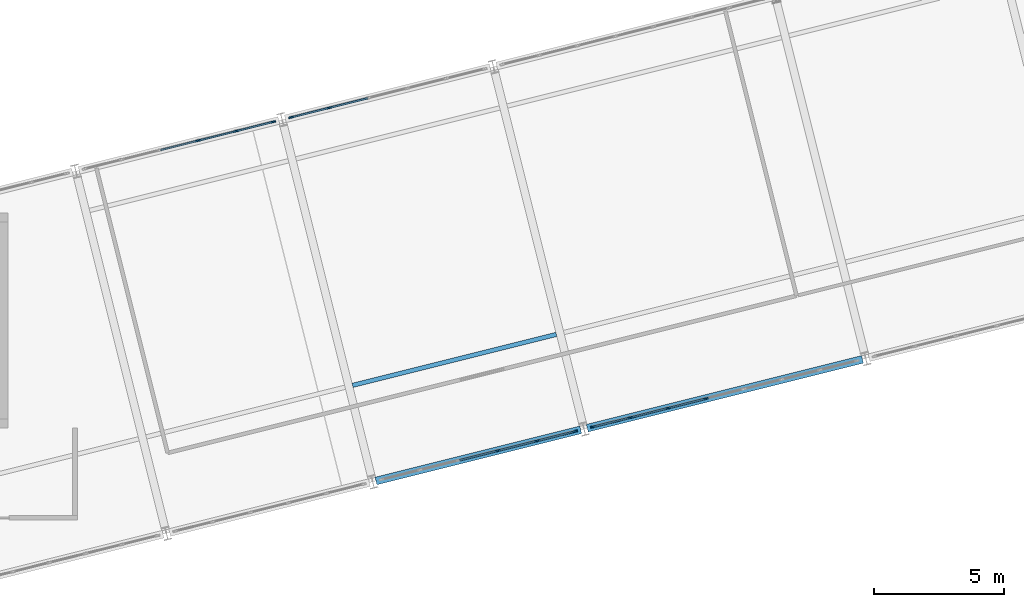
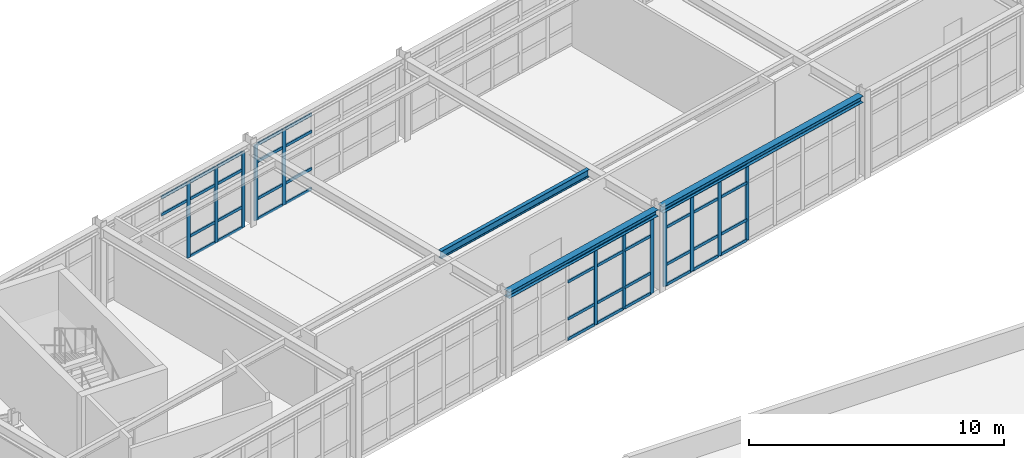
# One storey, part 28 of 99: 54 members, 3 beams, 4 elements without a shape of their own.
"""IFC4 building model written with IfcOpenShell, lengths in metres."""

from ifc_helpers import new_model, si_unit, direction, frame, origin, origin_2d, place, context, subcontext, project, spatial, rectangle, i_section, extrude, material, layer, layer_set, material_profile, profile_set, type_object, element, aggregate, save


model = new_model("IFC4")

# Units and contexts
model_context = context("Model", 3, precision=1e-05, world=origin(), true_north=direction((0.0, 1.0)))
body_context = subcontext(model_context, "Body", "Model", "MODEL_VIEW")
ifc_project = project(units=[si_unit("LENGTHUNIT", "METRE"), si_unit("AREAUNIT", "SQUARE_METRE"), si_unit("VOLUMEUNIT", "CUBIC_METRE"), si_unit("PLANEANGLEUNIT", "RADIAN"), si_unit("MASSUNIT", "GRAM", prefix="KILO")], contexts=[model_context])

# Site, building, storey
site_placement = place(None, origin())
site = spatial("IfcSite", under=ifc_project, at=site_placement, CompositionType="ELEMENT")
building_placement = place(site_placement, origin())
building = spatial("IfcBuilding", under=site, at=building_placement, Name="Nordkorset Police Headquarters", CompositionType="ELEMENT")
storey_placement = place(building_placement, frame((0.0, 0.0, 5.25)))
storey = spatial("IfcBuildingStorey", under=building, at=storey_placement, Name="L01", CompositionType="ELEMENT", Elevation=5.25)

# Beam
ifc_material_1 = material(Name="Steel S355J2", Category="steel")
ifc_material_profile_1 = material_profile(ifc_material_1, i_section(OverallWidth=0.169921875, OverallDepth=0.360107421875, WebThickness=0.008056640625, FlangeThickness=0.0126953125, FilletRadius=0.01806640625, at=origin_2d()), Name="IPE 360")
ifc_profile_set_1 = profile_set([ifc_material_profile_1], Name="Steel S355J2")
beam_type_1 = type_object("IfcBeamType", Name="Beam_IPE_360", PredefinedType="BEAM", material=ifc_profile_set_1)
beam_1_placement = place(storey_placement, frame((42.61474609375, 50.670654296875, 3.780029296875), z_axis=(0.970140727133, 0.242542716974, 0.0), x_axis=(-0.242542716974, 0.970140727133, 0.0)))
element("IfcBeam", 1, at=beam_1_placement, inside=storey, type_object=beam_type_1, Name="Splayed Wing Secondary Beam L01 2-1", PredefinedType="BEAM", context=body_context, shape_type="SweptSolid", body=[
    extrude(i_section(OverallWidth=0.169921875, OverallDepth=0.360107421875, WebThickness=0.008056640625, FlangeThickness=0.0126953125, FilletRadius=0.01806640625, at=origin_2d()), origin(), (0.0, 0.0, 1.0), 8.10009765625),
])

# Curtain wall, members
ifc_material_2 = material(Name="Aluminium alloy AW-6060", Category="aluminium")
ifc_layer_1 = layer(ifc_material_2, 0.179931640625, Name="Aluminium alloy AW-6060")
ifc_layer_set_1 = layer_set([ifc_layer_1], Name="Aluminium alloy AW-6060")
curtain_wall_type_1 = type_object("IfcCurtainWallType", Name="CW_Unit_756x363", PredefinedType="USERDEFINED", material=ifc_layer_set_1)
curtain_wall_1_placement = place(storey_placement, origin())
curtain_wall_1 = element("IfcCurtainWall", 2, at=curtain_wall_1_placement, inside=storey, type_object=curtain_wall_type_1, Name="Unitised Curtain Wall L01 V4N-1", ObjectType="UNITISED CURTAIN WALL", PredefinedType="USERDEFINED")
ifc_material_3 = material(Name="Aluminium alloy AW-6060", Category="aluminium")
ifc_material_profile_2 = material_profile(ifc_material_3, rectangle(XDim=0.06494140625, YDim=0.179931640625, at=origin_2d()), Name="ALU MULL 65x180")
ifc_profile_set_2 = profile_set([ifc_material_profile_2], Name="Aluminium alloy AW-6060")
member_type_1 = type_object("IfcMemberType", Name="CW_Mullion_65x180", PredefinedType="MULLION", material=ifc_profile_set_2)
member_1_placement = place(storey_placement, frame((36.654296875, 60.106689453125, 0.0), z_axis=(0.0, 0.0, 1.0), x_axis=(-0.242535625038, 0.970142500145, 0.0)))
member_1 = element("IfcMember", 3, at=member_1_placement, type_object=member_type_1, Name="CW-24 mullion 4", PredefinedType="MULLION", context=body_context, shape_type="SweptSolid", body=[
    extrude(rectangle(XDim=0.06494140625, YDim=0.179931640625, at=origin_2d()), origin(), (0.0, 0.0, 1.0), 3.6298828125),
])
member_2_placement = place(storey_placement, frame((38.12109375, 60.473388671875, 0.0), z_axis=(0.0, 0.0, 1.0), x_axis=(-0.242535625038, 0.970142500145, 0.0)))
member_2 = element("IfcMember", 4, at=member_2_placement, type_object=member_type_1, Name="CW-24 mullion 5", PredefinedType="MULLION", context=body_context, shape_type="SweptSolid", body=[
    extrude(rectangle(XDim=0.06494140625, YDim=0.179931640625, at=origin_2d()), origin(), (0.0, 0.0, 1.0), 3.6298828125),
])
member_3_placement = place(storey_placement, frame((39.556396484375, 60.832275390625, 0.0), z_axis=(0.0, 0.0, 1.0), x_axis=(-0.242535625038, 0.970142500145, 0.0)))
member_3 = element("IfcMember", 5, at=member_3_placement, type_object=member_type_1, Name="CW-24 mullion 6", PredefinedType="MULLION", context=body_context, shape_type="SweptSolid", body=[
    extrude(rectangle(XDim=0.06494140625, YDim=0.179931640625, at=origin_2d()), origin(), (0.0, 0.0, 1.0), 3.6298828125),
])

ifc_material_4 = material(Name="Aluminium alloy AW-6060", Category="aluminium")
ifc_layer_2 = layer(ifc_material_4, 0.179931640625, Name="Aluminium alloy AW-6060")
ifc_layer_set_2 = layer_set([ifc_layer_2], Name="Aluminium alloy AW-6060")
curtain_wall_type_2 = type_object("IfcCurtainWallType", Name="CW_Unit_776x363", PredefinedType="USERDEFINED", material=ifc_layer_set_2)
curtain_wall_2_placement = place(storey_placement, origin())
curtain_wall_2 = element("IfcCurtainWall", 6, at=curtain_wall_2_placement, inside=storey, type_object=curtain_wall_type_2, Name="Unitised Curtain Wall L01 V4S-2", ObjectType="UNITISED CURTAIN WALL", PredefinedType="USERDEFINED")
member_4_placement = place(storey_placement, frame((48.21826171875, 48.154541015625, 0.0), z_axis=(0.0, 0.0, 1.0), x_axis=(-0.24253471539, 0.970142727556, 0.0)))
member_4 = element("IfcMember", 7, at=member_4_placement, type_object=member_type_1, Name="CW-47 mullion 4", PredefinedType="MULLION", context=body_context, shape_type="SweptSolid", body=[
    extrude(rectangle(XDim=0.06494140625, YDim=0.179931640625, at=origin_2d()), origin(), (0.0, 0.0, 1.0), 3.6298828125),
])
member_5_placement = place(storey_placement, frame((49.723876953125, 48.531005859375, 0.0), z_axis=(0.0, 0.0, 1.0), x_axis=(-0.24253471539, 0.970142727556, 0.0)))
member_5 = element("IfcMember", 8, at=member_5_placement, type_object=member_type_1, Name="CW-47 mullion 5", PredefinedType="MULLION", context=body_context, shape_type="SweptSolid", body=[
    extrude(rectangle(XDim=0.06494140625, YDim=0.179931640625, at=origin_2d()), origin(), (0.0, 0.0, 1.0), 3.6298828125),
])
member_6_placement = place(storey_placement, frame((51.1982421875, 48.8994140625, 0.0), z_axis=(0.0, 0.0, 1.0), x_axis=(-0.24253471539, 0.970142727556, 0.0)))
member_6 = element("IfcMember", 9, at=member_6_placement, type_object=member_type_1, Name="CW-47 mullion 6", PredefinedType="MULLION", context=body_context, shape_type="SweptSolid", body=[
    extrude(rectangle(XDim=0.06494140625, YDim=0.179931640625, at=origin_2d()), origin(), (0.0, 0.0, 1.0), 3.6298828125),
])

curtain_wall_3_placement = place(storey_placement, origin())
curtain_wall_3 = element("IfcCurtainWall", 10, at=curtain_wall_3_placement, inside=storey, type_object=curtain_wall_type_2, Name="Unitised Curtain Wall L01 V4N-2", ObjectType="UNITISED CURTAIN WALL", PredefinedType="USERDEFINED")
member_7_placement = place(storey_placement, frame((40.240478515625, 61.003173828125, 0.0), z_axis=(0.0, 0.0, 1.0), x_axis=(-0.242535928242, 0.970142424344, 0.0)))
member_7 = element("IfcMember", 11, at=member_7_placement, type_object=member_type_1, Name="CW-47 mullion 1", PredefinedType="MULLION", context=body_context, shape_type="SweptSolid", body=[
    extrude(rectangle(XDim=0.06494140625, YDim=0.179931640625, at=origin_2d()), origin(), (0.0, 0.0, 1.0), 3.6298828125),
])
member_8_placement = place(storey_placement, frame((41.714599609375, 61.371826171875, 0.0), z_axis=(0.0, 0.0, 1.0), x_axis=(-0.242535928242, 0.970142424344, 0.0)))
member_8 = element("IfcMember", 12, at=member_8_placement, type_object=member_type_1, Name="CW-47 mullion 2", PredefinedType="MULLION", context=body_context, shape_type="SweptSolid", body=[
    extrude(rectangle(XDim=0.06494140625, YDim=0.179931640625, at=origin_2d()), origin(), (0.0, 0.0, 1.0), 3.6298828125),
])

ifc_material_5 = material(Name="Aluminium alloy AW-6060", Category="aluminium")
ifc_layer_3 = layer(ifc_material_5, 0.179931640625, Name="Aluminium alloy AW-6060")
ifc_layer_set_3 = layer_set([ifc_layer_3], Name="Aluminium alloy AW-6060")
curtain_wall_type_3 = type_object("IfcCurtainWallType", Name="CW_Unit_1056x363", PredefinedType="USERDEFINED", material=ifc_layer_set_3)
curtain_wall_4_placement = place(storey_placement, origin())
curtain_wall_4 = element("IfcCurtainWall", 13, at=curtain_wall_4_placement, inside=storey, type_object=curtain_wall_type_3, Name="Unitised Curtain Wall L01 V4S-3", ObjectType="UNITISED CURTAIN WALL", PredefinedType="USERDEFINED")
member_9_placement = place(storey_placement, frame((51.882080078125, 49.070556640625, 0.0), z_axis=(0.0, 0.0, 1.0), x_axis=(-0.242535179399, 0.970142611554, 0.0)))
member_9 = element("IfcMember", 14, at=member_9_placement, type_object=member_type_1, Name="CW-96 mullion 1", PredefinedType="MULLION", context=body_context, shape_type="SweptSolid", body=[
    extrude(rectangle(XDim=0.06494140625, YDim=0.179931640625, at=origin_2d()), origin(), (0.0, 0.0, 1.0), 3.6298828125),
])
member_10_placement = place(storey_placement, frame((53.31396484375, 49.428466796875, 0.0), z_axis=(0.0, 0.0, 1.0), x_axis=(-0.242535179399, 0.970142611554, 0.0)))
member_10 = element("IfcMember", 15, at=member_10_placement, type_object=member_type_1, Name="CW-96 mullion 2", PredefinedType="MULLION", context=body_context, shape_type="SweptSolid", body=[
    extrude(rectangle(XDim=0.06494140625, YDim=0.179931640625, at=origin_2d()), origin(), (0.0, 0.0, 1.0), 3.6298828125),
])
member_11_placement = place(storey_placement, frame((54.777587890625, 49.79443359375, 0.0), z_axis=(0.0, 0.0, 1.0), x_axis=(-0.242535179399, 0.970142611554, 0.0)))
member_11 = element("IfcMember", 16, at=member_11_placement, type_object=member_type_1, Name="CW-96 mullion 3", PredefinedType="MULLION", context=body_context, shape_type="SweptSolid", body=[
    extrude(rectangle(XDim=0.06494140625, YDim=0.179931640625, at=origin_2d()), origin(), (0.0, 0.0, 1.0), 3.6298828125),
])
member_12_placement = place(storey_placement, frame((56.2412109375, 50.160400390625, 0.0), z_axis=(0.0, 0.0, 1.0), x_axis=(-0.242535179399, 0.970142611554, 0.0)))
member_12 = element("IfcMember", 17, at=member_12_placement, type_object=member_type_1, Name="CW-96 mullion 4", PredefinedType="MULLION", context=body_context, shape_type="SweptSolid", body=[
    extrude(rectangle(XDim=0.06494140625, YDim=0.179931640625, at=origin_2d()), origin(), (0.0, 0.0, 1.0), 3.6298828125),
])

# Member
ifc_material_6 = material(Name="Aluminium alloy AW-6060", Category="aluminium")
ifc_material_profile_3 = material_profile(ifc_material_6, rectangle(XDim=0.06494140625, YDim=0.139892578125, at=origin_2d()), Name="ALU TRAN 65x140")
ifc_profile_set_3 = profile_set([ifc_material_profile_3], Name="Aluminium alloy AW-6060")
member_type_2 = type_object("IfcMemberType", Name="CW_Transom_65x140", PredefinedType="USERDEFINED", material=ifc_profile_set_3)
member_13_placement = place(storey_placement, frame((35.218994140625, 59.747802734375, 2.780029296875), z_axis=(0.97012264784, 0.242615020451, 0.0), x_axis=(-0.242615020451, 0.97012264784, 0.0)))
member_13 = element("IfcMember", 18, at=member_13_placement, type_object=member_type_2, Name="CW-24 transom 3.3", ObjectType="TRANSOM", PredefinedType="USERDEFINED", context=body_context, shape_type="SweptSolid", body=[
    extrude(rectangle(XDim=0.06494140625, YDim=0.139892578125, at=origin_2d()), origin(), (0.0, 0.0, 1.0), 1.447021484375),
])

member_14_placement = place(storey_placement, frame((35.218994140625, 59.747802734375, 3.597412109375), z_axis=(0.97012264784, 0.242615020451, 0.0), x_axis=(-0.242615020451, 0.97012264784, 0.0)))
member_14 = element("IfcMember", 19, at=member_14_placement, type_object=member_type_2, Name="CW-24 transom 3.4", ObjectType="TRANSOM", PredefinedType="USERDEFINED", context=body_context, shape_type="SweptSolid", body=[
    extrude(rectangle(XDim=0.06494140625, YDim=0.139892578125, at=origin_2d()), origin(), (0.0, 0.0, 1.0), 1.447021484375),
])

member_15_placement = place(storey_placement, frame((36.685791015625, 60.11474609375, 0.032470703125), z_axis=(0.970162346765, 0.242456224748, 0.0), x_axis=(-0.242456224748, 0.970162346765, 0.0)))
member_15 = element("IfcMember", 20, at=member_15_placement, type_object=member_type_2, Name="CW-24 transom 4.1", ObjectType="TRANSOM", PredefinedType="USERDEFINED", context=body_context, shape_type="SweptSolid", body=[
    extrude(rectangle(XDim=0.06494140625, YDim=0.139892578125, at=origin_2d()), origin(), (0.0, 0.0, 1.0), 1.447021484375),
])

member_16_placement = place(storey_placement, frame((36.685791015625, 60.11474609375, 1.0), z_axis=(0.970162346765, 0.242456224748, 0.0), x_axis=(-0.242456224748, 0.970162346765, 0.0)))
member_16 = element("IfcMember", 21, at=member_16_placement, type_object=member_type_2, Name="CW-24 transom 4.2", ObjectType="TRANSOM", PredefinedType="USERDEFINED", context=body_context, shape_type="SweptSolid", body=[
    extrude(rectangle(XDim=0.06494140625, YDim=0.139892578125, at=origin_2d()), origin(), (0.0, 0.0, 1.0), 1.447021484375),
])

member_17_placement = place(storey_placement, frame((36.685791015625, 60.11474609375, 2.780029296875), z_axis=(0.970162346765, 0.242456224748, 0.0), x_axis=(-0.242456224748, 0.970162346765, 0.0)))
member_17 = element("IfcMember", 22, at=member_17_placement, type_object=member_type_2, Name="CW-24 transom 4.3", ObjectType="TRANSOM", PredefinedType="USERDEFINED", context=body_context, shape_type="SweptSolid", body=[
    extrude(rectangle(XDim=0.06494140625, YDim=0.139892578125, at=origin_2d()), origin(), (0.0, 0.0, 1.0), 1.447021484375),
])

member_18_placement = place(storey_placement, frame((36.685791015625, 60.11474609375, 3.597412109375), z_axis=(0.970162346765, 0.242456224748, 0.0), x_axis=(-0.242456224748, 0.970162346765, 0.0)))
member_18 = element("IfcMember", 23, at=member_18_placement, type_object=member_type_2, Name="CW-24 transom 4.4", ObjectType="TRANSOM", PredefinedType="USERDEFINED", context=body_context, shape_type="SweptSolid", body=[
    extrude(rectangle(XDim=0.06494140625, YDim=0.139892578125, at=origin_2d()), origin(), (0.0, 0.0, 1.0), 1.447021484375),
])

member_19_placement = place(storey_placement, frame((38.152587890625, 60.4814453125, 0.032470703125), z_axis=(0.970152651902, 0.242495014396, 0.0), x_axis=(-0.242495014396, 0.970152651902, 0.0)))
member_19 = element("IfcMember", 24, at=member_19_placement, type_object=member_type_2, Name="CW-24 transom 5.1", ObjectType="TRANSOM", PredefinedType="USERDEFINED", context=body_context, shape_type="SweptSolid", body=[
    extrude(rectangle(XDim=0.06494140625, YDim=0.139892578125, at=origin_2d()), origin(), (0.0, 0.0, 1.0), 1.41455078125),
])

member_20_placement = place(storey_placement, frame((38.152587890625, 60.4814453125, 1.0), z_axis=(0.970152651902, 0.242495014396, 0.0), x_axis=(-0.242495014396, 0.970152651902, 0.0)))
member_20 = element("IfcMember", 25, at=member_20_placement, type_object=member_type_2, Name="CW-24 transom 5.2", ObjectType="TRANSOM", PredefinedType="USERDEFINED", context=body_context, shape_type="SweptSolid", body=[
    extrude(rectangle(XDim=0.06494140625, YDim=0.139892578125, at=origin_2d()), origin(), (0.0, 0.0, 1.0), 1.41455078125),
])

member_21_placement = place(storey_placement, frame((38.152587890625, 60.4814453125, 2.780029296875), z_axis=(0.970152651902, 0.242495014396, 0.0), x_axis=(-0.242495014396, 0.970152651902, 0.0)))
member_21 = element("IfcMember", 26, at=member_21_placement, type_object=member_type_2, Name="CW-24 transom 5.3", ObjectType="TRANSOM", PredefinedType="USERDEFINED", context=body_context, shape_type="SweptSolid", body=[
    extrude(rectangle(XDim=0.06494140625, YDim=0.139892578125, at=origin_2d()), origin(), (0.0, 0.0, 1.0), 1.41455078125),
])

member_22_placement = place(storey_placement, frame((38.152587890625, 60.4814453125, 3.597412109375), z_axis=(0.970152651902, 0.242495014396, 0.0), x_axis=(-0.242495014396, 0.970152651902, 0.0)))
member_22 = element("IfcMember", 27, at=member_22_placement, type_object=member_type_2, Name="CW-24 transom 5.4", ObjectType="TRANSOM", PredefinedType="USERDEFINED", context=body_context, shape_type="SweptSolid", body=[
    extrude(rectangle(XDim=0.06494140625, YDim=0.139892578125, at=origin_2d()), origin(), (0.0, 0.0, 1.0), 1.41455078125),
])

aggregate(curtain_wall_1, [member_1, member_2, member_3, member_13, member_14, member_15, member_16, member_17, member_18, member_19, member_20, member_21, member_22])

member_23_placement = place(storey_placement, frame((46.744140625, 47.7861328125, 0.032470703125), z_axis=(0.970152157148, 0.242496993757, 0.0), x_axis=(-0.242496993757, 0.970152157148, 0.0)))
member_23 = element("IfcMember", 28, at=member_23_placement, type_object=member_type_2, Name="CW-47 transom 3.1", ObjectType="TRANSOM", PredefinedType="USERDEFINED", context=body_context, shape_type="SweptSolid", body=[
    extrude(rectangle(XDim=0.06494140625, YDim=0.139892578125, at=origin_2d()), origin(), (0.0, 0.0, 1.0), 1.487060546875),
])

member_24_placement = place(storey_placement, frame((46.744140625, 47.7861328125, 1.0), z_axis=(0.970152157148, 0.242496993757, 0.0), x_axis=(-0.242496993757, 0.970152157148, 0.0)))
member_24 = element("IfcMember", 29, at=member_24_placement, type_object=member_type_2, Name="CW-47 transom 3.2", ObjectType="TRANSOM", PredefinedType="USERDEFINED", context=body_context, shape_type="SweptSolid", body=[
    extrude(rectangle(XDim=0.06494140625, YDim=0.139892578125, at=origin_2d()), origin(), (0.0, 0.0, 1.0), 1.487060546875),
])

member_25_placement = place(storey_placement, frame((46.744140625, 47.7861328125, 2.780029296875), z_axis=(0.970152157148, 0.242496993757, 0.0), x_axis=(-0.242496993757, 0.970152157148, 0.0)))
member_25 = element("IfcMember", 30, at=member_25_placement, type_object=member_type_2, Name="CW-47 transom 3.3", ObjectType="TRANSOM", PredefinedType="USERDEFINED", context=body_context, shape_type="SweptSolid", body=[
    extrude(rectangle(XDim=0.06494140625, YDim=0.139892578125, at=origin_2d()), origin(), (0.0, 0.0, 1.0), 1.487060546875),
])

member_26_placement = place(storey_placement, frame((46.744140625, 47.7861328125, 3.597412109375), z_axis=(0.970152157148, 0.242496993757, 0.0), x_axis=(-0.242496993757, 0.970152157148, 0.0)))
member_26 = element("IfcMember", 31, at=member_26_placement, type_object=member_type_2, Name="CW-47 transom 3.4", ObjectType="TRANSOM", PredefinedType="USERDEFINED", context=body_context, shape_type="SweptSolid", body=[
    extrude(rectangle(XDim=0.06494140625, YDim=0.139892578125, at=origin_2d()), origin(), (0.0, 0.0, 1.0), 1.487060546875),
])

member_27_placement = place(storey_placement, frame((48.249755859375, 48.162353515625, 0.032470703125), z_axis=(0.970113521062, 0.242651511953, 0.0), x_axis=(-0.242651511953, 0.970113521062, 0.0)))
member_27 = element("IfcMember", 32, at=member_27_placement, type_object=member_type_2, Name="CW-47 transom 4.1", ObjectType="TRANSOM", PredefinedType="USERDEFINED", context=body_context, shape_type="SweptSolid", body=[
    extrude(rectangle(XDim=0.06494140625, YDim=0.139892578125, at=origin_2d()), origin(), (0.0, 0.0, 1.0), 1.487060546875),
])

member_28_placement = place(storey_placement, frame((48.249755859375, 48.162353515625, 1.0), z_axis=(0.970113521062, 0.242651511953, 0.0), x_axis=(-0.242651511953, 0.970113521062, 0.0)))
member_28 = element("IfcMember", 33, at=member_28_placement, type_object=member_type_2, Name="CW-47 transom 4.2", ObjectType="TRANSOM", PredefinedType="USERDEFINED", context=body_context, shape_type="SweptSolid", body=[
    extrude(rectangle(XDim=0.06494140625, YDim=0.139892578125, at=origin_2d()), origin(), (0.0, 0.0, 1.0), 1.487060546875),
])

member_29_placement = place(storey_placement, frame((48.249755859375, 48.162353515625, 2.780029296875), z_axis=(0.970113521062, 0.242651511953, 0.0), x_axis=(-0.242651511953, 0.970113521062, 0.0)))
member_29 = element("IfcMember", 34, at=member_29_placement, type_object=member_type_2, Name="CW-47 transom 4.3", ObjectType="TRANSOM", PredefinedType="USERDEFINED", context=body_context, shape_type="SweptSolid", body=[
    extrude(rectangle(XDim=0.06494140625, YDim=0.139892578125, at=origin_2d()), origin(), (0.0, 0.0, 1.0), 1.487060546875),
])

member_30_placement = place(storey_placement, frame((48.249755859375, 48.162353515625, 3.597412109375), z_axis=(0.970113521062, 0.242651511953, 0.0), x_axis=(-0.242651511953, 0.970113521062, 0.0)))
member_30 = element("IfcMember", 35, at=member_30_placement, type_object=member_type_2, Name="CW-47 transom 4.4", ObjectType="TRANSOM", PredefinedType="USERDEFINED", context=body_context, shape_type="SweptSolid", body=[
    extrude(rectangle(XDim=0.06494140625, YDim=0.139892578125, at=origin_2d()), origin(), (0.0, 0.0, 1.0), 1.487060546875),
])

member_31_placement = place(storey_placement, frame((49.755615234375, 48.538818359375, 0.032470703125), z_axis=(0.970132624514, 0.242575124143, 0.0), x_axis=(-0.242575124143, 0.970132624514, 0.0)))
member_31 = element("IfcMember", 36, at=member_31_placement, type_object=member_type_2, Name="CW-47 transom 5.1", ObjectType="TRANSOM", PredefinedType="USERDEFINED", context=body_context, shape_type="SweptSolid", body=[
    extrude(rectangle(XDim=0.06494140625, YDim=0.139892578125, at=origin_2d()), origin(), (0.0, 0.0, 1.0), 1.454345703125),
])

member_32_placement = place(storey_placement, frame((49.755615234375, 48.538818359375, 1.0), z_axis=(0.970132624514, 0.242575124143, 0.0), x_axis=(-0.242575124143, 0.970132624514, 0.0)))
member_32 = element("IfcMember", 37, at=member_32_placement, type_object=member_type_2, Name="CW-47 transom 5.2", ObjectType="TRANSOM", PredefinedType="USERDEFINED", context=body_context, shape_type="SweptSolid", body=[
    extrude(rectangle(XDim=0.06494140625, YDim=0.139892578125, at=origin_2d()), origin(), (0.0, 0.0, 1.0), 1.454345703125),
])

member_33_placement = place(storey_placement, frame((49.755615234375, 48.538818359375, 2.780029296875), z_axis=(0.970132624514, 0.242575124143, 0.0), x_axis=(-0.242575124143, 0.970132624514, 0.0)))
member_33 = element("IfcMember", 38, at=member_33_placement, type_object=member_type_2, Name="CW-47 transom 5.3", ObjectType="TRANSOM", PredefinedType="USERDEFINED", context=body_context, shape_type="SweptSolid", body=[
    extrude(rectangle(XDim=0.06494140625, YDim=0.139892578125, at=origin_2d()), origin(), (0.0, 0.0, 1.0), 1.454345703125),
])

member_34_placement = place(storey_placement, frame((49.755615234375, 48.538818359375, 3.597412109375), z_axis=(0.970132624514, 0.242575124143, 0.0), x_axis=(-0.242575124143, 0.970132624514, 0.0)))
member_34 = element("IfcMember", 39, at=member_34_placement, type_object=member_type_2, Name="CW-47 transom 5.4", ObjectType="TRANSOM", PredefinedType="USERDEFINED", context=body_context, shape_type="SweptSolid", body=[
    extrude(rectangle(XDim=0.06494140625, YDim=0.139892578125, at=origin_2d()), origin(), (0.0, 0.0, 1.0), 1.454345703125),
])

aggregate(curtain_wall_2, [member_4, member_5, member_6, member_23, member_24, member_25, member_26, member_27, member_28, member_29, member_30, member_31, member_32, member_33, member_34])

member_35_placement = place(storey_placement, frame((40.27197265625, 61.01123046875, 0.032470703125), z_axis=(0.970132624514, 0.242575124143, 0.0), x_axis=(-0.242575124143, 0.970132624514, 0.0)))
member_35 = element("IfcMember", 40, at=member_35_placement, type_object=member_type_2, Name="CW-47 transom 1.1", ObjectType="TRANSOM", PredefinedType="USERDEFINED", context=body_context, shape_type="SweptSolid", body=[
    extrude(rectangle(XDim=0.06494140625, YDim=0.139892578125, at=origin_2d()), origin(), (0.0, 0.0, 1.0), 1.454345703125),
])

member_36_placement = place(storey_placement, frame((40.27197265625, 61.01123046875, 1.0), z_axis=(0.970132624514, 0.242575124143, 0.0), x_axis=(-0.242575124143, 0.970132624514, 0.0)))
member_36 = element("IfcMember", 41, at=member_36_placement, type_object=member_type_2, Name="CW-47 transom 1.2", ObjectType="TRANSOM", PredefinedType="USERDEFINED", context=body_context, shape_type="SweptSolid", body=[
    extrude(rectangle(XDim=0.06494140625, YDim=0.139892578125, at=origin_2d()), origin(), (0.0, 0.0, 1.0), 1.454345703125),
])

member_37_placement = place(storey_placement, frame((40.27197265625, 61.01123046875, 2.780029296875), z_axis=(0.970132624514, 0.242575124143, 0.0), x_axis=(-0.242575124143, 0.970132624514, 0.0)))
member_37 = element("IfcMember", 42, at=member_37_placement, type_object=member_type_2, Name="CW-47 transom 1.3", ObjectType="TRANSOM", PredefinedType="USERDEFINED", context=body_context, shape_type="SweptSolid", body=[
    extrude(rectangle(XDim=0.06494140625, YDim=0.139892578125, at=origin_2d()), origin(), (0.0, 0.0, 1.0), 1.454345703125),
])

member_38_placement = place(storey_placement, frame((40.27197265625, 61.01123046875, 3.597412109375), z_axis=(0.970132624514, 0.242575124143, 0.0), x_axis=(-0.242575124143, 0.970132624514, 0.0)))
member_38 = element("IfcMember", 43, at=member_38_placement, type_object=member_type_2, Name="CW-47 transom 1.4", ObjectType="TRANSOM", PredefinedType="USERDEFINED", context=body_context, shape_type="SweptSolid", body=[
    extrude(rectangle(XDim=0.06494140625, YDim=0.139892578125, at=origin_2d()), origin(), (0.0, 0.0, 1.0), 1.454345703125),
])

member_39_placement = place(storey_placement, frame((41.74609375, 61.379638671875, 0.032470703125), z_axis=(0.970152157148, 0.242496993757, 0.0), x_axis=(-0.242496993757, 0.970152157148, 0.0)))
member_39 = element("IfcMember", 44, at=member_39_placement, type_object=member_type_2, Name="CW-47 transom 2.1", ObjectType="TRANSOM", PredefinedType="USERDEFINED", context=body_context, shape_type="SweptSolid", body=[
    extrude(rectangle(XDim=0.06494140625, YDim=0.139892578125, at=origin_2d()), origin(), (0.0, 0.0, 1.0), 1.487060546875),
])

member_40_placement = place(storey_placement, frame((41.74609375, 61.379638671875, 1.0), z_axis=(0.970152157148, 0.242496993757, 0.0), x_axis=(-0.242496993757, 0.970152157148, 0.0)))
member_40 = element("IfcMember", 45, at=member_40_placement, type_object=member_type_2, Name="CW-47 transom 2.2", ObjectType="TRANSOM", PredefinedType="USERDEFINED", context=body_context, shape_type="SweptSolid", body=[
    extrude(rectangle(XDim=0.06494140625, YDim=0.139892578125, at=origin_2d()), origin(), (0.0, 0.0, 1.0), 1.487060546875),
])

member_41_placement = place(storey_placement, frame((41.74609375, 61.379638671875, 2.780029296875), z_axis=(0.970152157148, 0.242496993757, 0.0), x_axis=(-0.242496993757, 0.970152157148, 0.0)))
member_41 = element("IfcMember", 46, at=member_41_placement, type_object=member_type_2, Name="CW-47 transom 2.3", ObjectType="TRANSOM", PredefinedType="USERDEFINED", context=body_context, shape_type="SweptSolid", body=[
    extrude(rectangle(XDim=0.06494140625, YDim=0.139892578125, at=origin_2d()), origin(), (0.0, 0.0, 1.0), 1.487060546875),
])

member_42_placement = place(storey_placement, frame((41.74609375, 61.379638671875, 3.597412109375), z_axis=(0.970152157148, 0.242496993757, 0.0), x_axis=(-0.242496993757, 0.970152157148, 0.0)))
member_42 = element("IfcMember", 47, at=member_42_placement, type_object=member_type_2, Name="CW-47 transom 2.4", ObjectType="TRANSOM", PredefinedType="USERDEFINED", context=body_context, shape_type="SweptSolid", body=[
    extrude(rectangle(XDim=0.06494140625, YDim=0.139892578125, at=origin_2d()), origin(), (0.0, 0.0, 1.0), 1.487060546875),
])

aggregate(curtain_wall_3, [member_7, member_8, member_35, member_36, member_37, member_38, member_39, member_40, member_41, member_42])

member_43_placement = place(storey_placement, frame((51.91357421875, 49.078369140625, 0.032470703125), z_axis=(0.970132321548, 0.242576335796, 0.0), x_axis=(-0.242576335796, 0.970132321548, 0.0)))
member_43 = element("IfcMember", 48, at=member_43_placement, type_object=member_type_2, Name="CW-96 transom 1.1", ObjectType="TRANSOM", PredefinedType="USERDEFINED", context=body_context, shape_type="SweptSolid", body=[
    extrude(rectangle(XDim=0.06494140625, YDim=0.139892578125, at=origin_2d()), origin(), (0.0, 0.0, 1.0), 1.4111328125),
])

member_44_placement = place(storey_placement, frame((51.91357421875, 49.078369140625, 1.0), z_axis=(0.970132321548, 0.242576335796, 0.0), x_axis=(-0.242576335796, 0.970132321548, 0.0)))
member_44 = element("IfcMember", 49, at=member_44_placement, type_object=member_type_2, Name="CW-96 transom 1.2", ObjectType="TRANSOM", PredefinedType="USERDEFINED", context=body_context, shape_type="SweptSolid", body=[
    extrude(rectangle(XDim=0.06494140625, YDim=0.139892578125, at=origin_2d()), origin(), (0.0, 0.0, 1.0), 1.4111328125),
])

member_45_placement = place(storey_placement, frame((51.91357421875, 49.078369140625, 2.780029296875), z_axis=(0.970132321548, 0.242576335796, 0.0), x_axis=(-0.242576335796, 0.970132321548, 0.0)))
member_45 = element("IfcMember", 50, at=member_45_placement, type_object=member_type_2, Name="CW-96 transom 1.3", ObjectType="TRANSOM", PredefinedType="USERDEFINED", context=body_context, shape_type="SweptSolid", body=[
    extrude(rectangle(XDim=0.06494140625, YDim=0.139892578125, at=origin_2d()), origin(), (0.0, 0.0, 1.0), 1.4111328125),
])

member_46_placement = place(storey_placement, frame((51.91357421875, 49.078369140625, 3.597412109375), z_axis=(0.970132321548, 0.242576335796, 0.0), x_axis=(-0.242576335796, 0.970132321548, 0.0)))
member_46 = element("IfcMember", 51, at=member_46_placement, type_object=member_type_2, Name="CW-96 transom 1.4", ObjectType="TRANSOM", PredefinedType="USERDEFINED", context=body_context, shape_type="SweptSolid", body=[
    extrude(rectangle(XDim=0.06494140625, YDim=0.139892578125, at=origin_2d()), origin(), (0.0, 0.0, 1.0), 1.4111328125),
])

member_47_placement = place(storey_placement, frame((53.345703125, 49.4365234375, 0.032470703125), z_axis=(0.970142500145, 0.242535625036, 0.0), x_axis=(-0.242535625036, 0.970142500145, 0.0)))
member_47 = element("IfcMember", 52, at=member_47_placement, type_object=member_type_2, Name="CW-96 transom 2.1", ObjectType="TRANSOM", PredefinedType="USERDEFINED", context=body_context, shape_type="SweptSolid", body=[
    extrude(rectangle(XDim=0.06494140625, YDim=0.139892578125, at=origin_2d()), origin(), (0.0, 0.0, 1.0), 1.443603515625),
])

member_48_placement = place(storey_placement, frame((53.345703125, 49.4365234375, 1.0), z_axis=(0.970142500145, 0.242535625036, 0.0), x_axis=(-0.242535625036, 0.970142500145, 0.0)))
member_48 = element("IfcMember", 53, at=member_48_placement, type_object=member_type_2, Name="CW-96 transom 2.2", ObjectType="TRANSOM", PredefinedType="USERDEFINED", context=body_context, shape_type="SweptSolid", body=[
    extrude(rectangle(XDim=0.06494140625, YDim=0.139892578125, at=origin_2d()), origin(), (0.0, 0.0, 1.0), 1.443603515625),
])

member_49_placement = place(storey_placement, frame((53.345703125, 49.4365234375, 2.780029296875), z_axis=(0.970142500145, 0.242535625036, 0.0), x_axis=(-0.242535625036, 0.970142500145, 0.0)))
member_49 = element("IfcMember", 54, at=member_49_placement, type_object=member_type_2, Name="CW-96 transom 2.3", ObjectType="TRANSOM", PredefinedType="USERDEFINED", context=body_context, shape_type="SweptSolid", body=[
    extrude(rectangle(XDim=0.06494140625, YDim=0.139892578125, at=origin_2d()), origin(), (0.0, 0.0, 1.0), 1.443603515625),
])

member_50_placement = place(storey_placement, frame((53.345703125, 49.4365234375, 3.597412109375), z_axis=(0.970142500145, 0.242535625036, 0.0), x_axis=(-0.242535625036, 0.970142500145, 0.0)))
member_50 = element("IfcMember", 55, at=member_50_placement, type_object=member_type_2, Name="CW-96 transom 2.4", ObjectType="TRANSOM", PredefinedType="USERDEFINED", context=body_context, shape_type="SweptSolid", body=[
    extrude(rectangle(XDim=0.06494140625, YDim=0.139892578125, at=origin_2d()), origin(), (0.0, 0.0, 1.0), 1.443603515625),
])

member_51_placement = place(storey_placement, frame((54.80908203125, 49.80224609375, 0.032470703125), z_axis=(0.970152446652, 0.242495835541, 0.0), x_axis=(-0.242495835541, 0.970152446652, 0.0)))
member_51 = element("IfcMember", 56, at=member_51_placement, type_object=member_type_2, Name="CW-96 transom 3.1", ObjectType="TRANSOM", PredefinedType="USERDEFINED", context=body_context, shape_type="SweptSolid", body=[
    extrude(rectangle(XDim=0.06494140625, YDim=0.139892578125, at=origin_2d()), origin(), (0.0, 0.0, 1.0), 1.44384765625),
])

member_52_placement = place(storey_placement, frame((54.80908203125, 49.80224609375, 1.0), z_axis=(0.970152446652, 0.242495835541, 0.0), x_axis=(-0.242495835541, 0.970152446652, 0.0)))
member_52 = element("IfcMember", 57, at=member_52_placement, type_object=member_type_2, Name="CW-96 transom 3.2", ObjectType="TRANSOM", PredefinedType="USERDEFINED", context=body_context, shape_type="SweptSolid", body=[
    extrude(rectangle(XDim=0.06494140625, YDim=0.139892578125, at=origin_2d()), origin(), (0.0, 0.0, 1.0), 1.44384765625),
])

member_53_placement = place(storey_placement, frame((54.80908203125, 49.80224609375, 2.780029296875), z_axis=(0.970152446652, 0.242495835541, 0.0), x_axis=(-0.242495835541, 0.970152446652, 0.0)))
member_53 = element("IfcMember", 58, at=member_53_placement, type_object=member_type_2, Name="CW-96 transom 3.3", ObjectType="TRANSOM", PredefinedType="USERDEFINED", context=body_context, shape_type="SweptSolid", body=[
    extrude(rectangle(XDim=0.06494140625, YDim=0.139892578125, at=origin_2d()), origin(), (0.0, 0.0, 1.0), 1.44384765625),
])

member_54_placement = place(storey_placement, frame((54.80908203125, 49.80224609375, 3.597412109375), z_axis=(0.970152446652, 0.242495835541, 0.0), x_axis=(-0.242495835541, 0.970152446652, 0.0)))
member_54 = element("IfcMember", 59, at=member_54_placement, type_object=member_type_2, Name="CW-96 transom 3.4", ObjectType="TRANSOM", PredefinedType="USERDEFINED", context=body_context, shape_type="SweptSolid", body=[
    extrude(rectangle(XDim=0.06494140625, YDim=0.139892578125, at=origin_2d()), origin(), (0.0, 0.0, 1.0), 1.44384765625),
])

aggregate(curtain_wall_4, [member_9, member_10, member_11, member_12, member_43, member_44, member_45, member_46, member_47, member_48, member_49, member_50, member_51, member_52, member_53, member_54])

# Beams
ifc_material_7 = material(Name="Steel S355J2", Category="steel")
ifc_material_profile_4 = material_profile(ifc_material_7, i_section(OverallWidth=0.300048828125, OverallDepth=0.31005859375, WebThickness=0.009033203125, FlangeThickness=0.015380859375, FilletRadius=0.027099609375, at=origin_2d()), Name="HEA 320")
ifc_profile_set_4 = profile_set([ifc_material_profile_4], Name="Steel S355J2")
beam_type_2 = type_object("IfcBeamType", Name="Spandrel_HEA_320", PredefinedType="SPANDREL", material=ifc_profile_set_4)
beam_2_placement = place(storey_placement, frame((43.51708984375, 46.979248046875, 3.804931640625), z_axis=(0.970138971508, 0.242549739151, 0.0), x_axis=(-0.242549739151, 0.970138971508, 0.0)))
element("IfcBeam", 60, at=beam_2_placement, inside=storey, type_object=beam_type_2, Name="Splayed Wing Spandrel L01 2-0", PredefinedType="SPANDREL", context=body_context, shape_type="SweptSolid", body=[
    extrude(i_section(OverallWidth=0.300048828125, OverallDepth=0.31005859375, WebThickness=0.009033203125, FlangeThickness=0.015380859375, FilletRadius=0.027099609375, at=origin_2d()), origin(), (0.0, 0.0, 1.0), 8.14013671875),
])
beam_3_placement = place(storey_placement, frame((51.666259765625, 49.0166015625, 3.804931640625), z_axis=(0.970142500145, 0.242535625036, 0.0), x_axis=(-0.242535625036, 0.970142500145, 0.0)))
element("IfcBeam", 61, at=beam_3_placement, inside=storey, type_object=beam_type_2, Name="Splayed Wing Spandrel L01 3-0", PredefinedType="SPANDREL", context=body_context, shape_type="SweptSolid", body=[
    extrude(i_section(OverallWidth=0.300048828125, OverallDepth=0.31005859375, WebThickness=0.009033203125, FlangeThickness=0.015380859375, FilletRadius=0.027099609375, at=origin_2d()), origin(), (0.0, 0.0, 1.0), 10.93994140625),
])

save(model, "model.ifc")
